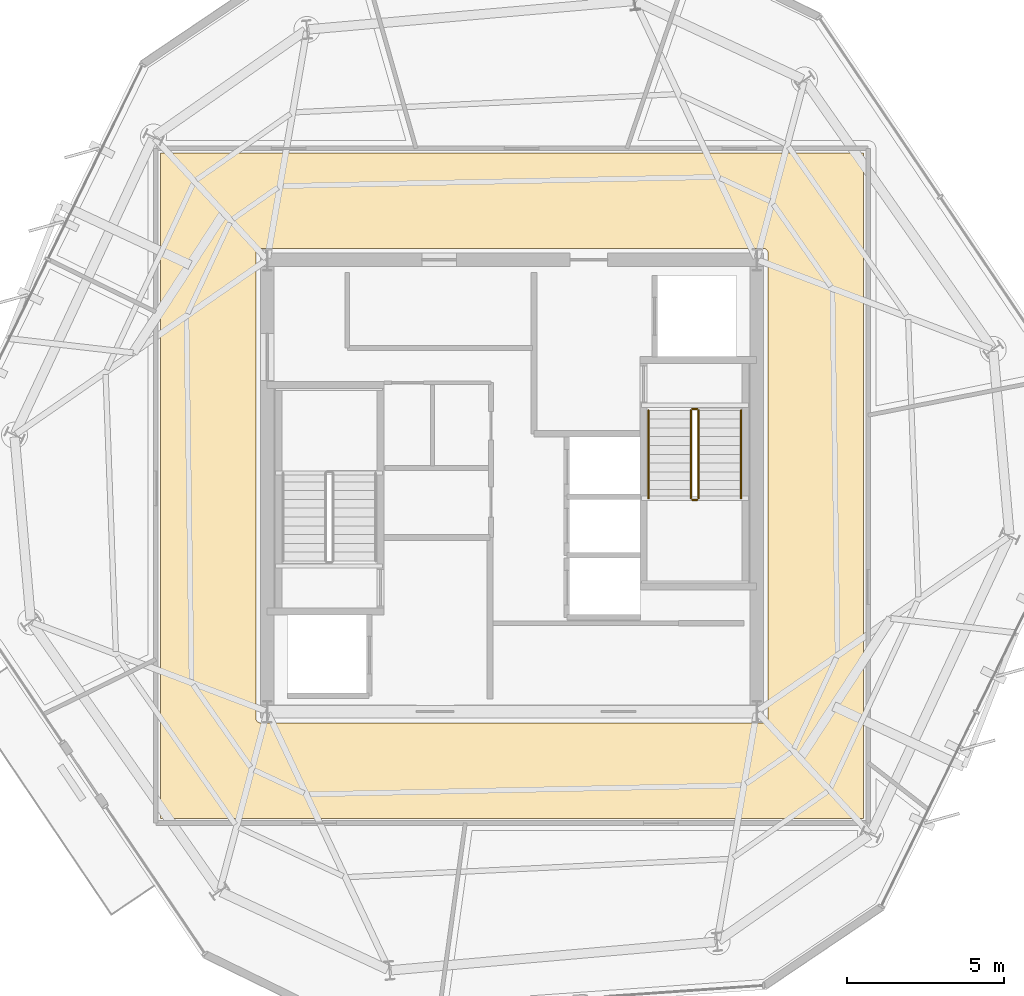
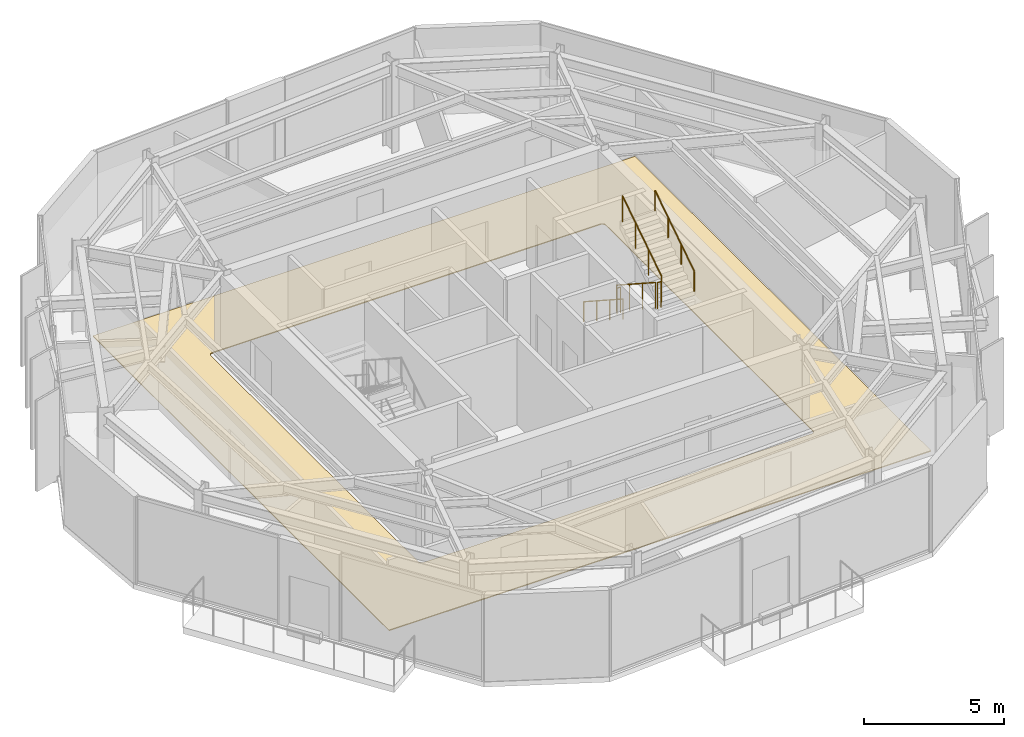
# One storey, part 12 of 13: 6 railings, 1 covering.
"""IFC4 building model written with IfcOpenShell, lengths in metres."""

from ifc_helpers import new_model, si_unit, direction, frame, origin, origin_2d, place, context, subcontext, project, spatial, polyline, circle, outline, extrude, material, layer, layer_set, type_object, element, save


model = new_model("IFC4")

# Units and contexts
model_context = context("Model", 3, precision=1e-05, world=origin(), true_north=direction((0.0, 1.0)))
body_context = subcontext(model_context, "Body", "Model", "MODEL_VIEW")
ifc_project = project(units=[si_unit("LENGTHUNIT", "METRE"), si_unit("AREAUNIT", "SQUARE_METRE"), si_unit("VOLUMEUNIT", "CUBIC_METRE"), si_unit("PLANEANGLEUNIT", "RADIAN"), si_unit("MASSUNIT", "GRAM", prefix="KILO")], contexts=[model_context])

# Site, building, storey
site_placement = place(None, origin())
site = spatial("IfcSite", under=ifc_project, at=site_placement, CompositionType="ELEMENT")
building_placement = place(site_placement, origin())
building = spatial("IfcBuilding", under=site, at=building_placement, Name="Kranzbogen Civic Tower", CompositionType="ELEMENT")
storey_placement = place(building_placement, frame((0.0, 0.0, 282.199951171875)))
storey = spatial("IfcBuildingStorey", under=building, at=storey_placement, Name="L68", CompositionType="ELEMENT", Elevation=282.199951171875)

# Covering
ifc_material_1 = material(Name="Honed Natural Stone Flooring", Category="masonry")
ifc_layer = layer(ifc_material_1, 0.0400390625, Name="Honed Natural Stone Flooring")
ifc_layer_set = layer_set([ifc_layer], Name="Honed Natural Stone Flooring")
covering_type = type_object("IfcCoveringType", Name="Honed Limestone Lobby Flooring 40 mm", PredefinedType="FLOORING", material=ifc_layer_set)
covering_placement = place(storey_placement, origin())
element("IfcCovering", 1, at=covering_placement, inside=storey, type_object=covering_type, Name="L68 concourse stone flooring 1", PredefinedType="FLOORING", context=body_context, shape_type="SweptSolid", body=[
    extrude(outline(polyline([(13.800048828125, 35.60009765625), (36.199951171875, 35.60009765625), (36.199951171875, 14.39990234375), (13.800048828125, 14.39990234375), (13.800048828125, 35.60009765625)]), holes=[polyline([(33.010009765625, 32.56005859375), (33.02490234375, 32.55908203125), (33.0390625, 32.556884765625), (33.053955078125, 32.553955078125), (33.06689453125, 32.549072265625), (33.0810546875, 32.5419921875), (33.093017578125, 32.534912109375), (33.10498046875, 32.52587890625), (33.115966796875, 32.51611328125), (33.1259765625, 32.5048828125), (33.135009765625, 32.492919921875), (33.14208984375, 32.48095703125), (33.14892578125, 32.467041015625), (33.154052734375, 32.4541015625), (33.156982421875, 32.43896484375), (33.158935546875, 32.425048828125), (33.159912109375, 32.409912109375), (33.159912109375, 17.590087890625), (33.158935546875, 17.574951171875), (33.156982421875, 17.56103515625), (33.154052734375, 17.5458984375), (33.14892578125, 17.532958984375), (33.14208984375, 17.51904296875), (33.135009765625, 17.507080078125), (33.1259765625, 17.4951171875), (33.115966796875, 17.48388671875), (33.10498046875, 17.47412109375), (33.093017578125, 17.465087890625), (33.0810546875, 17.4580078125), (33.06689453125, 17.450927734375), (33.053955078125, 17.446044921875), (33.0390625, 17.443115234375), (33.02490234375, 17.44091796875), (33.010009765625, 17.43994140625), (16.989990234375, 17.43994140625), (16.97509765625, 17.44091796875), (16.9609375, 17.443115234375), (16.946044921875, 17.446044921875), (16.93310546875, 17.450927734375), (16.9189453125, 17.4580078125), (16.906982421875, 17.465087890625), (16.89501953125, 17.47412109375), (16.884033203125, 17.48388671875), (16.8740234375, 17.4951171875), (16.864990234375, 17.507080078125), (16.85791015625, 17.51904296875), (16.85107421875, 17.532958984375), (16.845947265625, 17.5458984375), (16.843017578125, 17.56103515625), (16.841064453125, 17.574951171875), (16.840087890625, 17.590087890625), (16.840087890625, 32.409912109375), (16.841064453125, 32.425048828125), (16.843017578125, 32.43896484375), (16.845947265625, 32.4541015625), (16.85107421875, 32.467041015625), (16.85791015625, 32.48095703125), (16.864990234375, 32.492919921875), (16.8740234375, 32.5048828125), (16.884033203125, 32.51611328125), (16.89501953125, 32.52587890625), (16.906982421875, 32.534912109375), (16.9189453125, 32.5419921875), (16.93310546875, 32.549072265625), (16.946044921875, 32.553955078125), (16.9609375, 32.556884765625), (16.97509765625, 32.55908203125), (16.989990234375, 32.56005859375), (33.010009765625, 32.56005859375)])]), origin(), (0.0, 0.0, 1.0), 0.0400390625),
])

# Railings
ifc_material_2 = material(Name="Steel S355", Category="steel")
railing_type_1 = type_object("IfcRailingType", Name="Internal Stair and Void Steel Guardrail 1150", PredefinedType="GUARDRAIL", material=ifc_material_2)
railing_1_placement = place(storey_placement, frame((30.699951171875, 27.39990234375, 0.181884765625)))
element("IfcRailing", 2, at=railing_1_placement, inside=storey, type_object=railing_type_1, Name="L68 ST-T2 stair guard 1", PredefinedType="GUARDRAIL", context=body_context, shape_type="SweptSolid", body=[
    extrude(circle(Radius=0.02392578125, at=origin_2d()), frame((0.0, 0.0, 1.1259765625), z_axis=(0.0, -0.83868413941, 0.544618136222), x_axis=(1.0, 0.0, 0.0)), (0.0, 0.0, 1.0), 3.33837890625),
    extrude(circle(Radius=0.02099609375, at=origin_2d()), origin(), (0.0, 0.0, 1.0), 1.101806640625),
    extrude(circle(Radius=0.02099609375, at=origin_2d()), frame((0.0, -0.933349609375, 0.60595703125)), (0.0, 0.0, 1.0), 1.101806640625),
    extrude(circle(Radius=0.02099609375, at=origin_2d()), frame((0.0, -1.866455078125, 1.212158203125)), (0.0, 0.0, 1.0), 1.101806640625),
    extrude(circle(Radius=0.02099609375, at=origin_2d()), frame((0.0, -2.7998046875, 1.818115234375)), (0.0, 0.0, 1.0), 1.101806640625),
])
railing_2_placement = place(storey_placement, frame((30.75, 24.550048828125, 2.0)))
element("IfcRailing", 3, at=railing_2_placement, inside=storey, type_object=railing_type_1, Name="L68 ST-T2 stair guard 2", PredefinedType="GUARDRAIL", context=body_context, shape_type="SweptSolid", body=[
    extrude(circle(Radius=0.02392578125, at=origin_2d()), frame((0.0, 0.0, 1.1259765625), z_axis=(1.0, 0.0, 0.0), x_axis=(0.0, 1.0, 0.0)), (0.0, 0.0, 1.0), 0.14990234375),
    extrude(circle(Radius=0.02099609375, at=origin_2d()), origin(), (0.0, 0.0, 1.0), 1.101806640625),
    extrude(circle(Radius=0.02099609375, at=origin_2d()), frame((0.14990234375, 0.0, 0.0)), (0.0, 0.0, 1.0), 1.101806640625),
])
railing_3_placement = place(storey_placement, frame((30.949951171875, 24.60009765625, 2.181884765625)))
element("IfcRailing", 4, at=railing_3_placement, inside=storey, type_object=railing_type_1, Name="L68 ST-T2 stair guard 3", PredefinedType="GUARDRAIL", context=body_context, shape_type="SweptSolid", body=[
    extrude(circle(Radius=0.02392578125, at=origin_2d()), frame((0.0, 0.0, 1.1259765625), z_axis=(0.0, 0.83868413941, 0.544618136222), x_axis=(-1.0, 0.0, 0.0)), (0.0, 0.0, 1.0), 3.33837890625),
    extrude(circle(Radius=0.02099609375, at=origin_2d()), origin(), (0.0, 0.0, 1.0), 1.101806640625),
    extrude(circle(Radius=0.02099609375, at=origin_2d()), frame((0.0, 0.933349609375, 0.60595703125)), (0.0, 0.0, 1.0), 1.101806640625),
    extrude(circle(Radius=0.02099609375, at=origin_2d()), frame((0.0, 1.866455078125, 1.212158203125)), (0.0, 0.0, 1.0), 1.101806640625),
    extrude(circle(Radius=0.02099609375, at=origin_2d()), frame((0.0, 2.7998046875, 1.818115234375)), (0.0, 0.0, 1.0), 1.101806640625),
])
railing_4_placement = place(storey_placement, frame((30.75, 27.449951171875, 0.0)))
element("IfcRailing", 5, at=railing_4_placement, inside=storey, type_object=railing_type_1, Name="L68 ST-T2 stair guard 4", PredefinedType="GUARDRAIL", context=body_context, shape_type="SweptSolid", body=[
    extrude(circle(Radius=0.02392578125, at=origin_2d()), frame((0.0, 0.0, 1.1259765625), z_axis=(1.0, 0.0, 0.0), x_axis=(0.0, 1.0, 0.0)), (0.0, 0.0, 1.0), 0.14990234375),
    extrude(circle(Radius=0.02099609375, at=origin_2d()), origin(), (0.0, 0.0, 1.0), 1.101806640625),
    extrude(circle(Radius=0.02099609375, at=origin_2d()), frame((0.14990234375, 0.0, 0.0)), (0.0, 0.0, 1.0), 1.101806640625),
])
ifc_material_3 = material(Name="Pale Anodised Aluminium", Category="aluminium")
railing_type_2 = type_object("IfcRailingType", Name="Tubular Stainless Stair Wall Handrail 900", PredefinedType="HANDRAIL", material=ifc_material_3)
railing_5_placement = place(storey_placement, frame((29.35009765625, 27.39990234375, 0.181884765625)))
element("IfcRailing", 6, at=railing_5_placement, inside=storey, type_object=railing_type_2, Name="L68 ST-T2 stair handrail 1", PredefinedType="HANDRAIL", context=body_context, shape_type="SweptSolid", body=[
    extrude(circle(Radius=0.02392578125, at=origin_2d()), frame((0.0, 0.0, 0.8759765625), z_axis=(0.0, -0.83868413941, 0.544618136222), x_axis=(1.0, 0.0, 0.0)), (0.0, 0.0, 1.0), 3.33837890625),
    extrude(circle(Radius=0.02099609375, at=origin_2d()), origin(), (0.0, 0.0, 1.0), 0.851806640625),
    extrude(circle(Radius=0.02099609375, at=origin_2d()), frame((0.0, -0.933349609375, 0.60595703125)), (0.0, 0.0, 1.0), 0.851806640625),
    extrude(circle(Radius=0.02099609375, at=origin_2d()), frame((0.0, -1.866455078125, 1.212158203125)), (0.0, 0.0, 1.0), 0.851806640625),
    extrude(circle(Radius=0.02099609375, at=origin_2d()), frame((0.0, -2.7998046875, 1.818115234375)), (0.0, 0.0, 1.0), 0.851806640625),
])
railing_6_placement = place(storey_placement, frame((32.300048828125, 24.60009765625, 2.181884765625)))
element("IfcRailing", 7, at=railing_6_placement, inside=storey, type_object=railing_type_2, Name="L68 ST-T2 stair handrail 2", PredefinedType="HANDRAIL", context=body_context, shape_type="SweptSolid", body=[
    extrude(circle(Radius=0.02392578125, at=origin_2d()), frame((0.0, 0.0, 0.8759765625), z_axis=(0.0, 0.83868413941, 0.544618136222), x_axis=(-1.0, 0.0, 0.0)), (0.0, 0.0, 1.0), 3.33837890625),
    extrude(circle(Radius=0.02099609375, at=origin_2d()), origin(), (0.0, 0.0, 1.0), 0.851806640625),
    extrude(circle(Radius=0.02099609375, at=origin_2d()), frame((0.0, 0.933349609375, 0.60595703125)), (0.0, 0.0, 1.0), 0.851806640625),
    extrude(circle(Radius=0.02099609375, at=origin_2d()), frame((0.0, 1.866455078125, 1.212158203125)), (0.0, 0.0, 1.0), 0.851806640625),
    extrude(circle(Radius=0.02099609375, at=origin_2d()), frame((0.0, 2.7998046875, 1.818115234375)), (0.0, 0.0, 1.0), 0.851806640625),
])

save(model, "model.ifc")
